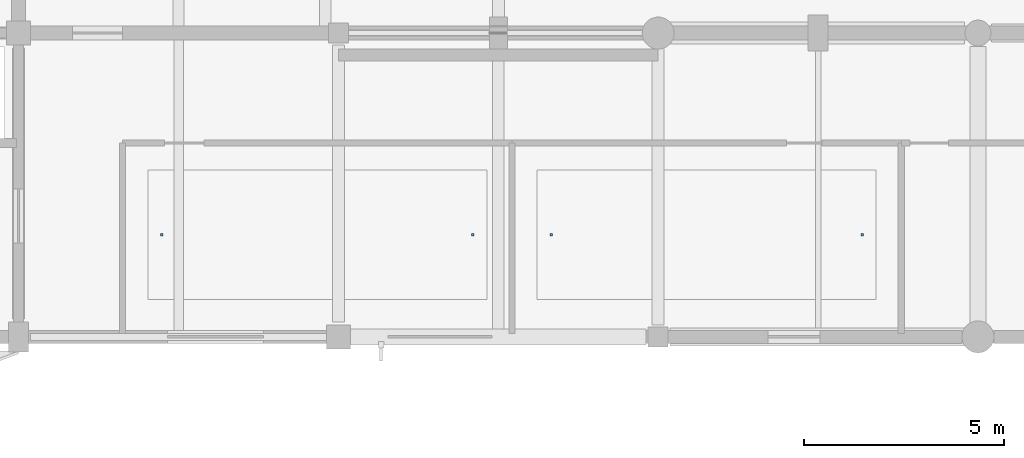
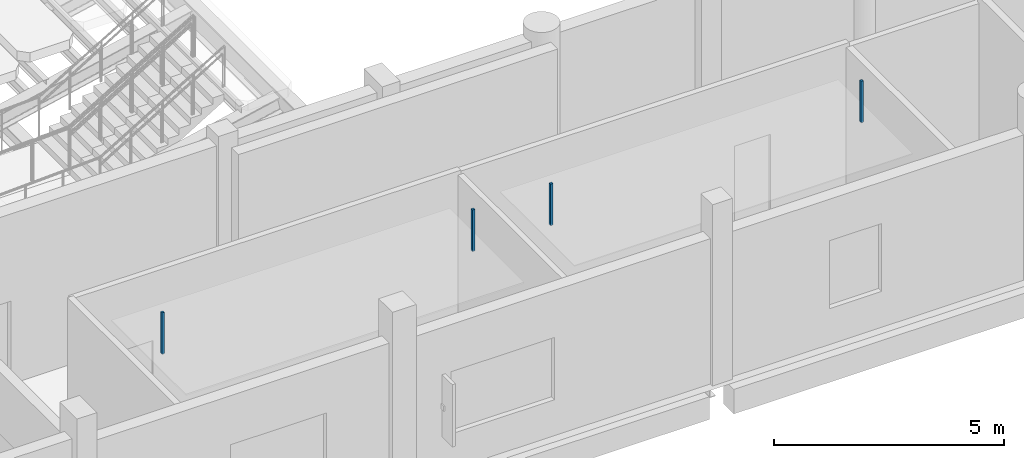
# One storey, part 98 of 147: 4 discrete accessories.
"""IFC4 building model written with IfcOpenShell, lengths in metres."""

from ifc_helpers import new_model, si_unit, direction, frame, origin, origin_2d, place, context, subcontext, project, spatial, rectangle, extrude, material, type_object, element, save


model = new_model("IFC4")

# Units and contexts
model_context = context("Model", 3, precision=1e-05, world=origin(), true_north=direction((0.0, 1.0)))
body_context = subcontext(model_context, "Body", "Model", "MODEL_VIEW")
ifc_project = project(units=[si_unit("LENGTHUNIT", "METRE"), si_unit("AREAUNIT", "SQUARE_METRE"), si_unit("VOLUMEUNIT", "CUBIC_METRE"), si_unit("PLANEANGLEUNIT", "RADIAN"), si_unit("MASSUNIT", "GRAM", prefix="KILO")], contexts=[model_context])

# Site, building, storey
site_placement = place(None, origin())
site = spatial("IfcSite", under=ifc_project, at=site_placement, CompositionType="ELEMENT")
building_placement = place(site_placement, origin())
building = spatial("IfcBuilding", under=site, at=building_placement, Name="Khelvaren Railside Concert Hall", CompositionType="ELEMENT")
storey_placement = place(building_placement, frame((0.0, 0.0, 5.39990234375)))
storey = spatial("IfcBuildingStorey", under=building, at=storey_placement, Name="L01", CompositionType="ELEMENT", Elevation=5.39990234375)

# Discrete accessories
ifc_material = material(Name="Galvanised steel acoustic ceiling hanger rod", Category="steel")
discrete_accessory_type = type_object("IfcDiscreteAccessoryType", Name="BRK62", PredefinedType="BRACKET", material=ifc_material)
for number, where, z_axis, x_axis, name in (
    (1, (11.580078125, 2.550048828125, 3.429931640625), (0.0, 0.0, 1.0), (1.0, 0.0, 0.0), "Acoustic Ceiling Suspension Bracket 14-1"),
    (2, (19.362060546875, 2.550048828125, 3.429931640625), (0.0, 0.0, 1.0), (1.0, 0.0, 0.0), "Acoustic Ceiling Suspension Bracket 14-2"),
    (3, (21.322021484375, 2.550048828125, 3.429931640625), (0.0, 0.0, 1.0), (1.0, 0.0, 0.0), "Acoustic Ceiling Suspension Bracket 15-1"),
    (4, (29.10400390625, 2.550048828125, 3.429931640625), (0.0, 0.0, 1.0), (1.0, 0.0, 0.0), "Acoustic Ceiling Suspension Bracket 15-2"),
):
    element("IfcDiscreteAccessory", number, at=place(storey_placement, frame(where, z_axis=z_axis, x_axis=x_axis)), inside=storey, type_object=discrete_accessory_type, Name=name, PredefinedType="BRACKET", context=body_context, shape_type="SweptSolid", body=[
        extrude(rectangle(XDim=0.06005859375, YDim=0.06005859375, at=origin_2d()), origin(), (0.0, 0.0, 1.0), 1.10009765625),
    ])

save(model, "model.ifc")
